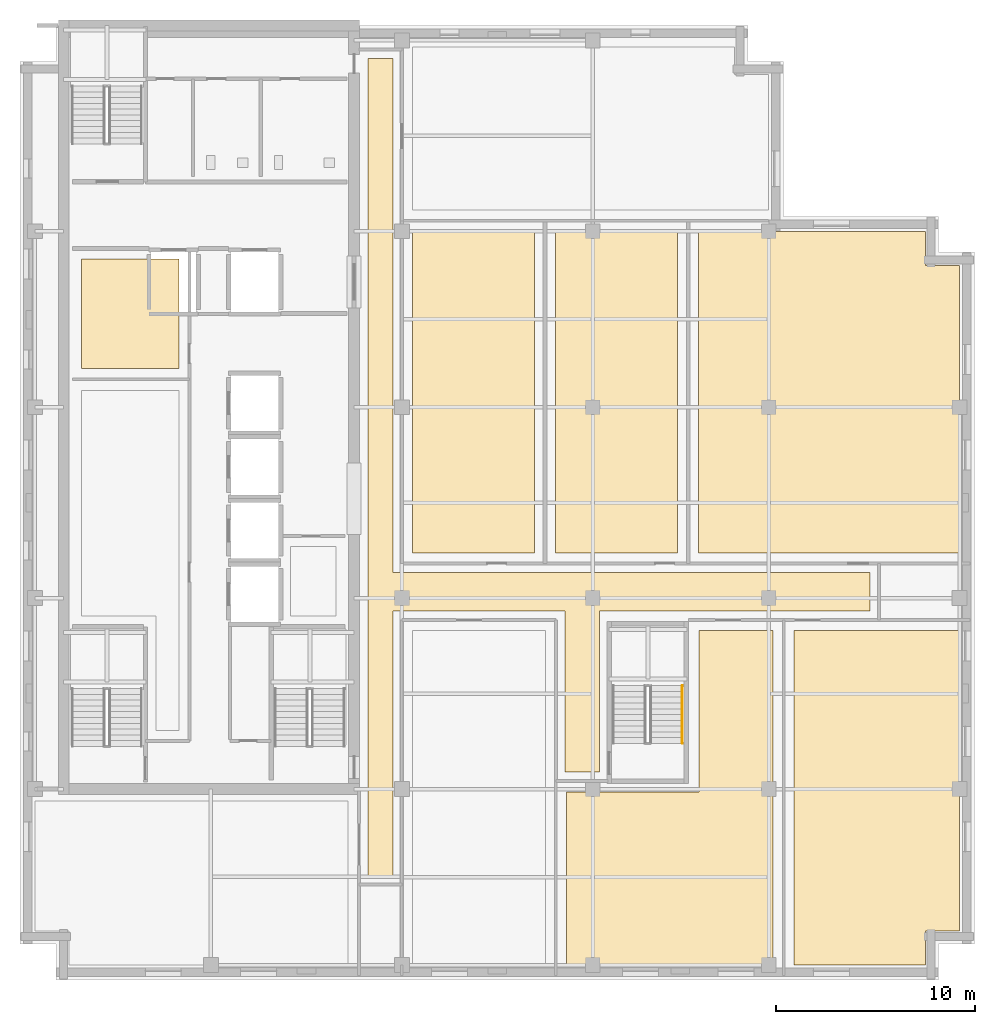
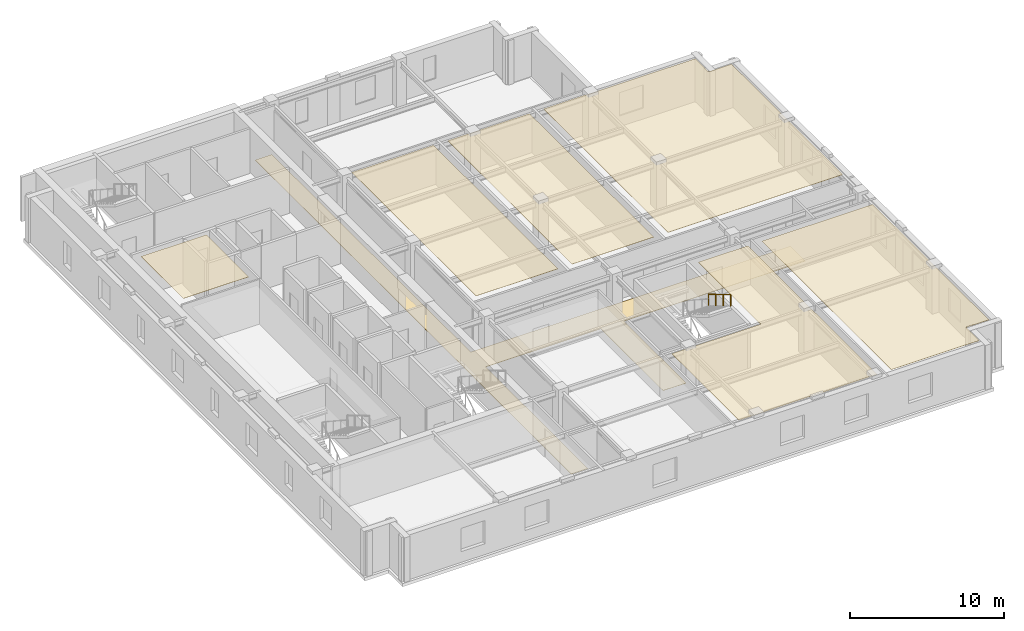
# One storey, part 8 of 10: 7 coverings, 1 railing.
"""IFC4 building model written with IfcOpenShell, lengths in metres."""

from ifc_helpers import new_model, si_unit, direction, frame, origin, origin_2d, place, context, subcontext, project, spatial, polyline, circle, outline, extrude, material, layer, layer_set, type_object, element, save


model = new_model("IFC4")

# Units and contexts
model_context = context("Model", 3, precision=1e-05, world=origin(), true_north=direction((0.0, 1.0)))
body_context = subcontext(model_context, "Body", "Model", "MODEL_VIEW")
ifc_project = project(units=[si_unit("LENGTHUNIT", "METRE"), si_unit("AREAUNIT", "SQUARE_METRE"), si_unit("VOLUMEUNIT", "CUBIC_METRE"), si_unit("PLANEANGLEUNIT", "RADIAN"), si_unit("MASSUNIT", "GRAM", prefix="KILO")], contexts=[model_context])

# Site, building, storey
site_placement = place(None, origin())
site = spatial("IfcSite", under=ifc_project, at=site_placement, CompositionType="ELEMENT")
building_placement = place(site_placement, origin())
building = spatial("IfcBuilding", under=site, at=building_placement, Name="Norrvale University Quadrangle", CompositionType="ELEMENT")
storey_placement = place(building_placement, frame((0.0, 0.0, 269.60009765625)))
storey = spatial("IfcBuildingStorey", under=building, at=storey_placement, Name="L68", CompositionType="ELEMENT", Elevation=269.60009765625)

# Coverings
ifc_material_1 = material(Name="Perforated Acoustic Mineral Ceiling")
ifc_layer_1 = layer(ifc_material_1, 0.02490234375, Name="Perforated Acoustic Mineral Ceiling")
ifc_layer_set_1 = layer_set([ifc_layer_1], Name="Perforated Acoustic Mineral Ceiling")
covering_type_1 = type_object("IfcCoveringType", Name="Covering Acoustic Ceiling 25", PredefinedType="CEILING", material=ifc_layer_set_1)
covering_1_placement = place(storey_placement, frame((0.0, 0.0, 3.514892578125)))
element("IfcCovering", 1, at=covering_1_placement, inside=storey, type_object=covering_type_1, Name="Acoustic Ceiling RM-L68-REC2", PredefinedType="CEILING", context=body_context, shape_type="SweptSolid", body=[
    extrude(outline(polyline([(3.10009765625, 30.75), (3.10009765625, 36.25), (8.0, 36.25), (8.0, 30.75), (3.10009765625, 30.75)])), origin(), (0.0, 0.0, 1.0), 0.02490234375),
])
covering_2_placement = place(storey_placement, frame((0.0, 0.0, 3.514892578125)))
element("IfcCovering", 2, at=covering_2_placement, inside=storey, type_object=covering_type_1, Name="Acoustic Ceiling RM-L68-SE2", PredefinedType="CEILING", context=body_context, shape_type="SweptSolid", body=[
    extrude(outline(polyline([(27.47998046875, 9.449951171875), (34.14990234375, 9.449951171875), (34.14990234375, 17.570068359375), (37.8701171875, 17.570068359375), (37.8701171875, 0.75), (27.47998046875, 0.75), (27.47998046875, 9.449951171875)])), origin(), (0.0, 0.0, 1.0), 0.02490234375),
])
covering_3_placement = place(storey_placement, frame((0.0, 0.0, 3.514892578125)))
element("IfcCovering", 3, at=covering_3_placement, inside=storey, type_object=covering_type_1, Name="Acoustic Ceiling RM-L68-SE3", PredefinedType="CEILING", context=body_context, shape_type="SweptSolid", body=[
    extrude(outline(polyline([(38.929931640625, 0.75), (38.929931640625, 17.570068359375), (47.25, 17.570068359375), (47.25, 2.469970703125), (45.530029296875, 2.469970703125), (45.530029296875, 0.75), (38.929931640625, 0.75)])), origin(), (0.0, 0.0, 1.0), 0.02490234375),
])
covering_4_placement = place(storey_placement, frame((0.0, 0.0, 3.514892578125)))
element("IfcCovering", 4, at=covering_4_placement, inside=storey, type_object=covering_type_1, Name="Acoustic Ceiling RM-L68-ME01", PredefinedType="CEILING", context=body_context, shape_type="SweptSolid", body=[
    extrude(outline(polyline([(19.72998046875, 37.64990234375), (25.8701171875, 37.64990234375), (25.8701171875, 21.47998046875), (19.72998046875, 21.47998046875), (19.72998046875, 37.64990234375)])), origin(), (0.0, 0.0, 1.0), 0.02490234375),
])
covering_5_placement = place(storey_placement, frame((0.0, 0.0, 3.514892578125)))
element("IfcCovering", 5, at=covering_5_placement, inside=storey, type_object=covering_type_1, Name="Acoustic Ceiling RM-L68-ME02", PredefinedType="CEILING", context=body_context, shape_type="SweptSolid", body=[
    extrude(outline(polyline([(26.929931640625, 37.64990234375), (33.070068359375, 37.64990234375), (33.070068359375, 21.47998046875), (26.929931640625, 21.47998046875), (26.929931640625, 37.64990234375)])), origin(), (0.0, 0.0, 1.0), 0.02490234375),
])
covering_6_placement = place(storey_placement, frame((0.0, 0.0, 3.514892578125)))
element("IfcCovering", 6, at=covering_6_placement, inside=storey, type_object=covering_type_1, Name="Acoustic Ceiling RM-L68-ME03", PredefinedType="CEILING", context=body_context, shape_type="SweptSolid", body=[
    extrude(outline(polyline([(47.25, 21.47998046875), (34.1298828125, 21.47998046875), (34.1298828125, 37.64990234375), (45.530029296875, 37.64990234375), (45.530029296875, 35.929931640625), (47.25, 35.929931640625), (47.25, 21.47998046875)])), origin(), (0.0, 0.0, 1.0), 0.02490234375),
])
ifc_material_2 = material(Name="Polished Terrazzo Flooring")
ifc_layer_2 = layer(ifc_material_2, 0.02490234375, Name="Polished Terrazzo Flooring")
ifc_layer_set_2 = layer_set([ifc_layer_2], Name="Polished Terrazzo Flooring")
covering_type_2 = type_object("IfcCoveringType", Name="Covering Terrazzo Floor 30", PredefinedType="FLOORING", material=ifc_layer_set_2)
covering_7_placement = place(storey_placement, origin())
element("IfcCovering", 7, at=covering_7_placement, inside=storey, type_object=covering_type_2, Name="Terrazzo Flooring RM-L68-CORR1", PredefinedType="FLOORING", context=body_context, shape_type="SweptSolid", body=[
    extrude(outline(polyline([(17.5, 5.25), (17.5, 46.35009765625), (18.75, 46.35009765625), (18.75, 20.5), (42.75, 20.5), (42.75, 18.550048828125), (29.1298828125, 18.550048828125), (29.1298828125, 10.449951171875), (27.39990234375, 10.449951171875), (27.39990234375, 18.550048828125), (18.75, 18.550048828125), (18.75, 5.25), (17.5, 5.25)])), origin(), (0.0, 0.0, 1.0), 0.02490234375),
])

# Railing
ifc_material_3 = material(Name="Stainless Steel 316L Handrail", Category="steel")
railing_type = type_object("IfcRailingType", Name="Railing Stair Handrail 920", PredefinedType="HANDRAIL", material=ifc_material_3)
railing_placement = place(storey_placement, frame((33.31005859375, 14.800048828125, 2.072509765625)))
element("IfcRailing", 8, at=railing_placement, inside=storey, type_object=railing_type, Name="Stair Upper Flight Handrail ST-04 L68", PredefinedType="HANDRAIL", context=body_context, shape_type="SweptSolid", body=[
    extrude(circle(Radius=0.02392578125, at=origin_2d()), frame((0.0, 0.0, 0.89599609375), z_axis=(0.0, -0.859160404282, 0.51170636083), x_axis=(1.0, 0.0, 0.0)), (0.0, 0.0, 1.0), 3.37548828125),
    extrude(circle(Radius=0.02099609375, at=origin_2d()), origin(), (0.0, 0.0, 1.0), 0.871826171875),
    extrude(circle(Radius=0.02099609375, at=origin_2d()), frame((0.0, -0.966796875, 0.57568359375)), (0.0, 0.0, 1.0), 0.871826171875),
    extrude(circle(Radius=0.02099609375, at=origin_2d()), frame((0.0, -1.933349609375, 1.151611328125)), (0.0, 0.0, 1.0), 0.871826171875),
    extrude(circle(Radius=0.02099609375, at=origin_2d()), frame((0.0, -2.900146484375, 1.727294921875)), (0.0, 0.0, 1.0), 0.871826171875),
])

save(model, "model.ifc")
